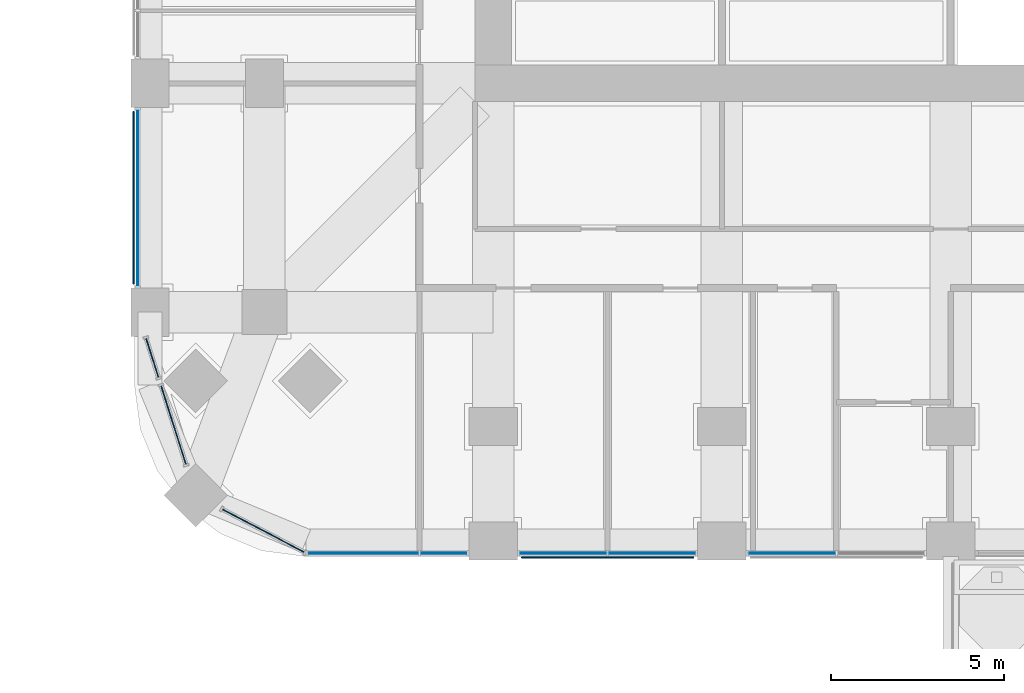
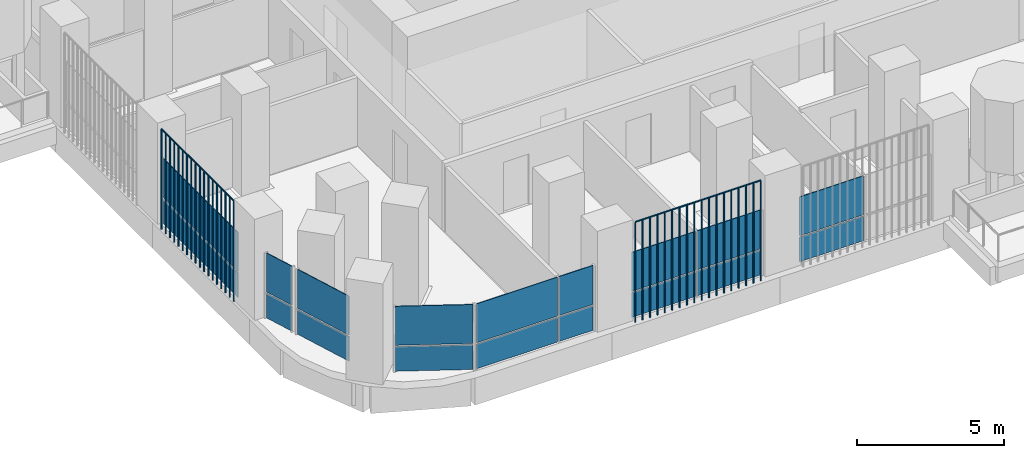
# One storey, part 9 of 22: 20 plates, 7 elements without a shape of their own.
"""IFC4 building model written with IfcOpenShell, lengths in metres."""

import ifcopenshell
import ifcopenshell.guid

model = None  # the IFC model being written
_history = None  # IfcOwnerHistory: only IFC2X3 demands one
_inside = {}  # id of a spatial element -> (the spatial element, [elements in it])
_under = {}  # id of a project, library or spatial element -> (it, [spatial elements below it])
_declared = {}  # id of a project -> (the project, [libraries it declares])
_typed = {}  # id of a type object -> (the type object, [elements of that type])
_made_of = {}  # id of a material, layer set ... -> (it, [elements and type objects made of it])


def new_model(schema):
    """Start an empty IFC model of exactly this schema.

    Asked for "IFC4X3", IfcOpenShell would pick the latest addendum, in which some entities
    have other attributes; the version numbers below select the first issue.
    IFC2X3 requires an IfcOwnerHistory on every rooted entity: one is made here for all.
    """
    global model, _history
    if schema == "IFC4X3":
        model = ifcopenshell.file(schema_version=(4, 3, 0, 0))
    else:
        model = ifcopenshell.file(schema=schema)
    _inside.clear()
    _under.clear()
    _declared.clear()
    _typed.clear()
    _made_of.clear()
    _history = None
    if model.schema == "IFC2X3":
        org = make("IfcOrganization", Name="unknown")
        user = make(
            "IfcPersonAndOrganization",
            ThePerson=make("IfcPerson", FamilyName="unknown"),
            TheOrganization=org,
        )
        app = make(
            "IfcApplication",
            ApplicationDeveloper=org,
            Version="unknown",
            ApplicationFullName="unknown",
            ApplicationIdentifier="unknown",
        )
        _history = make(
            "IfcOwnerHistory",
            OwningUser=user,
            OwningApplication=app,
            ChangeAction="ADDED",
            CreationDate=0,
        )
    return model


def make(cls, **values):
    """One entity of the class cls with the attributes given. An attribute that is None is left unset."""
    return model.create_entity(
        cls, **{name: value for name, value in values.items() if value is not None}
    )


def rooted(cls, **values):
    """An entity with a GlobalId (a new one), such as an element, a storey or a relation."""
    return make(cls, GlobalId=ifcopenshell.guid.new(), OwnerHistory=_history, **values)


def si_unit(unit_type, name, prefix=None):
    """IfcSIUnit, for example si_unit("LENGTHUNIT", "METRE", prefix="MILLI")."""
    return make("IfcSIUnit", UnitType=unit_type, Prefix=prefix, Name=name)


def assignment(units):
    """IfcUnitAssignment: the units of a project."""
    return None if units is None else make("IfcUnitAssignment", Units=units)


def point(xyz):
    """IfcCartesianPoint."""
    return None if xyz is None else make("IfcCartesianPoint", Coordinates=xyz)


def direction(xyz):
    """IfcDirection."""
    return None if xyz is None else make("IfcDirection", DirectionRatios=xyz)


def frame(location, z_axis=None, x_axis=None):
    """IfcAxis2Placement3D, a coordinate frame: its origin and axes. An axis left out is left unset."""
    return make(
        "IfcAxis2Placement3D",
        Location=point(location),
        Axis=direction(z_axis),
        RefDirection=direction(x_axis),
    )


def frame_2d(location, x_axis=None):
    """IfcAxis2Placement2D, a coordinate frame in the plane: its origin and x axis."""
    return make(
        "IfcAxis2Placement2D", Location=point(location), RefDirection=direction(x_axis)
    )


def origin():
    """The frame at (0, 0, 0) with its axes left unset."""
    return frame((0.0, 0.0, 0.0))


def origin_2d():
    """The frame at (0, 0) in the plane with its x axis left unset."""
    return frame_2d((0.0, 0.0))


def place(relative_to, where):
    """IfcLocalPlacement: puts the frame where relative to a parent placement (None: the world)."""
    return make(
        "IfcLocalPlacement", PlacementRelTo=relative_to, RelativePlacement=where
    )


def context(
    kind, dimensions, precision=None, world=None, true_north=None, identifier=None
):
    """IfcGeometricRepresentationContext, for example the 3D "Model" context."""
    return make(
        "IfcGeometricRepresentationContext",
        ContextIdentifier=identifier,
        ContextType=kind,
        CoordinateSpaceDimension=dimensions,
        Precision=precision,
        WorldCoordinateSystem=world,
        TrueNorth=true_north,
    )


def subcontext(parent, identifier, kind, view, scale=None):
    """IfcGeometricRepresentationSubContext, for example "Body" below "Model"."""
    return make(
        "IfcGeometricRepresentationSubContext",
        ContextIdentifier=identifier,
        ContextType=kind,
        ParentContext=parent,
        TargetScale=scale,
        TargetView=view,
    )


def project(units=None, contexts=None):
    """IfcProject with its units and contexts."""
    return rooted(
        "IfcProject",
        Name="project",
        RepresentationContexts=contexts,
        UnitsInContext=assignment(units),
    )


def spatial(cls, under=None, at=None, **own):
    """A site, building, storey or space (cls), placed at a placement, below another one or the project."""
    s = rooted(cls, ObjectPlacement=at, **own)
    if under is not None:
        _under.setdefault(under.id(), (under, []))[1].append(s)
    return s


def polyline(points):
    """IfcPolyline through the points."""
    return make("IfcPolyline", Points=[point(p) for p in points])


def profile(cls, at=None, kind="AREA", **sizes):
    """A parametric profile (cls). Its sizes go by their IFC names, for example OverallWidth=200.0."""
    return make(cls, ProfileType=kind, Position=at, **sizes)


def rectangle(**sizes):
    """IfcRectangleProfileDef."""
    return profile("IfcRectangleProfileDef", **sizes)


def outline(outer, holes=None, kind="AREA"):
    """IfcArbitraryClosedProfileDef: a profile drawn as a closed curve; with holes, ...WithVoids."""
    if holes is None:
        return make("IfcArbitraryClosedProfileDef", ProfileType=kind, OuterCurve=outer)
    return make(
        "IfcArbitraryProfileDefWithVoids",
        ProfileType=kind,
        OuterCurve=outer,
        InnerCurves=holes,
    )


def extrude(swept, where, along, depth):
    """IfcExtrudedAreaSolid: the profile swept, set in the frame where, extruded along a direction by depth."""
    return make(
        "IfcExtrudedAreaSolid",
        SweptArea=swept,
        Position=where,
        ExtrudedDirection=direction(along),
        Depth=depth,
    )


def shape(context_of_items, identifier, shape_type, items):
    """IfcShapeRepresentation: the items that make up one representation, for example the "Body"."""
    return make(
        "IfcShapeRepresentation",
        ContextOfItems=context_of_items,
        RepresentationIdentifier=identifier,
        RepresentationType=shape_type,
        Items=items,
    )


def material(Name=None, Category=None):
    """IfcMaterial."""
    return make("IfcMaterial", Name=Name, Category=Category)


def layer(
    of_material, thickness, ventilated=None, Name=None, Category=None, Priority=None
):
    """IfcMaterialLayer: one layer of a wall or slab, of a material (None: an air gap)."""
    return make(
        "IfcMaterialLayer",
        Material=of_material,
        LayerThickness=thickness,
        IsVentilated=ventilated,
        Name=Name,
        Category=Category,
        Priority=Priority,
    )


def layer_set(layers, Name=None):
    """IfcMaterialLayerSet."""
    return make("IfcMaterialLayerSet", MaterialLayers=layers, LayerSetName=Name)


def made_of(thing, what):
    """Note that an element or type object is made of a material, layer set ...; save() writes the relation."""
    if what is not None:
        _made_of.setdefault(what.id(), (what, []))[1].append(thing)
    return thing


def type_object(cls, material=None, **own):
    """A type object (cls), such as IfcWallType, which elements share."""
    return made_of(rooted(cls, **own), material)


def element(
    cls,
    number,
    at=None,
    inside=None,
    cuts=None,
    type_object=None,
    material=None,
    context=None,
    identifier="Body",
    shape_type=None,
    held_by="IfcProductDefinitionShape",
    body=None,
    shapes=None,
    **own,
):
    """One element of the class cls, such as IfcWall. Its Tag is "e" and its number.

    at: its placement. inside: the storey or other place that contains it. cuts: it is an
    opening in that element (IfcRelVoidsElement). A single representation is given by context,
    identifier, shape_type and body (its items); several are given by shapes. held_by: the class
    of the entity that holds the representations. save() writes the other relations.
    """
    e = rooted(cls, Tag="e%d" % number, ObjectPlacement=at, **own)
    if body is not None:
        shapes = [shape(context, identifier, shape_type, body)]
    if shapes is not None:
        e.Representation = make(held_by, Representations=shapes)
    if inside is not None:
        _inside.setdefault(inside.id(), (inside, []))[1].append(e)
    if cuts is not None:
        rooted(
            "IfcRelVoidsElement", RelatingBuildingElement=cuts, RelatedOpeningElement=e
        )
    if type_object is not None:
        _typed.setdefault(type_object.id(), (type_object, []))[1].append(e)
    return made_of(e, material)


def aggregate(whole, parts):
    """IfcRelAggregates: a whole, such as a stair, and the parts it consists of."""
    return rooted("IfcRelAggregates", RelatingObject=whole, RelatedObjects=parts)


def save(model, path):
    """Write the relations noted so far, then the file.

    IfcRelAggregates (storeys below a building ...), IfcRelContainedInSpatialStructure (elements
    in a storey), IfcRelDefinesByType, IfcRelAssociatesMaterial and IfcRelDeclares: one each for
    every whole, place, type object, material and project.
    """
    for whole, parts in _under.values():
        aggregate(whole, parts)
    for where, things in _inside.values():
        rooted(
            "IfcRelContainedInSpatialStructure",
            RelatedElements=things,
            RelatingStructure=where,
        )
    for kind, things in _typed.values():
        rooted("IfcRelDefinesByType", RelatedObjects=things, RelatingType=kind)
    for what, things in _made_of.values():
        rooted("IfcRelAssociatesMaterial", RelatedObjects=things, RelatingMaterial=what)
    for by, libraries in _declared.values():
        rooted("IfcRelDeclares", RelatingContext=by, RelatedDefinitions=libraries)
    model.write(path)


model = new_model("IFC4")

# Units and contexts
model_context = context("Model", 3, precision=1e-05, world=origin(), true_north=direction((0.0, 1.0)))
body_context = subcontext(model_context, "Body", "Model", "MODEL_VIEW")
ifc_project = project(units=[si_unit("LENGTHUNIT", "METRE"), si_unit("AREAUNIT", "SQUARE_METRE"), si_unit("VOLUMEUNIT", "CUBIC_METRE"), si_unit("PLANEANGLEUNIT", "RADIAN"), si_unit("MASSUNIT", "GRAM", prefix="KILO")], contexts=[model_context])

# Site, building, storey
site_placement = place(None, origin())
site = spatial("IfcSite", under=ifc_project, at=site_placement, CompositionType="ELEMENT")
building_placement = place(site_placement, origin())
building = spatial("IfcBuilding", under=site, at=building_placement, Name="Cobogo Forest Laboratory Tower", CompositionType="ELEMENT")
storey_placement = place(building_placement, frame((0.0, 0.0, 111.60009765625)))
storey = spatial("IfcBuildingStorey", under=building, at=storey_placement, Name="L25", CompositionType="ELEMENT", Elevation=111.60009765625)

# Curtain wall, plates
ifc_material_1 = material(Name="Aluminium curtain wall", Category="aluminium")
curtain_wall_type = type_object("IfcCurtainWallType", Name="CW-1 unitised curtain wall, clear glazing, laboratory floors zones A and B", PredefinedType="USERDEFINED", material=ifc_material_1)
curtain_wall_1_placement = place(storey_placement, origin())
curtain_wall_1 = element("IfcCurtainWall", 1, at=curtain_wall_1_placement, inside=storey, type_object=curtain_wall_type, Name="Curtain wall 01 L25", ObjectType="UNITISED CURTAIN WALL", PredefinedType="USERDEFINED")
ifc_material_2 = material(Name="Clear insulated glass", Category="glass")
ifc_layer = layer(ifc_material_2, 0.028076171875)
ifc_layer_set = layer_set([ifc_layer], Name="GP-1 clear insulated glass unit 28")
plate_type_1 = type_object("IfcPlateType", Name="GP-1 clear insulated glass unit 28", PredefinedType="CURTAIN_PANEL", material=ifc_layer_set)
plate_1_placement = place(storey_placement, frame((9.452392578125, -0.35009765625, 0.0), z_axis=(0.0, 0.0, 1.0), x_axis=(1.0, 0.0, 0.0)))
plate_1 = element("IfcPlate", 2, at=plate_1_placement, type_object=plate_type_1, Name="CW-1 panel 1.1", PredefinedType="CURTAIN_PANEL", context=body_context, shape_type="SweptSolid", body=[
    extrude(rectangle(XDim=3.18505859375, YDim=0.028076171875, at=origin_2d()), origin(), (0.0, 0.0, 1.0), 1.02001953125),
])
plate_2_placement = place(storey_placement, frame((9.452392578125, -0.35009765625, 1.079833984375), z_axis=(0.0, 0.0, 1.0), x_axis=(1.0, 0.0, 0.0)))
plate_2 = element("IfcPlate", 3, at=plate_2_placement, type_object=plate_type_1, Name="CW-1 panel 1.2", PredefinedType="CURTAIN_PANEL", context=body_context, shape_type="SweptSolid", body=[
    extrude(rectangle(XDim=3.18505859375, YDim=0.028076171875, at=origin_2d()), origin(), (0.0, 0.0, 1.0), 1.6201171875),
])
plate_3_placement = place(storey_placement, frame((11.7724609375, -0.35009765625, 0.0), z_axis=(0.0, 0.0, 1.0), x_axis=(1.0, 0.0, 0.0)))
plate_3 = element("IfcPlate", 4, at=plate_3_placement, type_object=plate_type_1, Name="CW-1 panel 2.1", PredefinedType="CURTAIN_PANEL", context=body_context, shape_type="SweptSolid", body=[
    extrude(rectangle(XDim=1.3349609375, YDim=0.028076171875, at=origin_2d()), origin(), (0.0, 0.0, 1.0), 1.02001953125),
])
plate_4_placement = place(storey_placement, frame((11.7724609375, -0.35009765625, 1.079833984375), z_axis=(0.0, 0.0, 1.0), x_axis=(1.0, 0.0, 0.0)))
plate_4 = element("IfcPlate", 5, at=plate_4_placement, type_object=plate_type_1, Name="CW-1 panel 2.2", PredefinedType="CURTAIN_PANEL", context=body_context, shape_type="SweptSolid", body=[
    extrude(rectangle(XDim=1.3349609375, YDim=0.028076171875, at=origin_2d()), origin(), (0.0, 0.0, 1.0), 1.6201171875),
])
aggregate(curtain_wall_1, [plate_1, plate_2, plate_3, plate_4])

curtain_wall_2_placement = place(storey_placement, origin())
curtain_wall_2 = element("IfcCurtainWall", 6, at=curtain_wall_2_placement, inside=storey, type_object=curtain_wall_type, Name="Curtain wall 02 L25", ObjectType="UNITISED CURTAIN WALL", PredefinedType="USERDEFINED")
plate_5_placement = place(storey_placement, frame((15.215087890625, -0.35009765625, 0.0), z_axis=(0.0, 0.0, 1.0), x_axis=(1.0, 0.0, 0.0)))
plate_5 = element("IfcPlate", 7, at=plate_5_placement, type_object=plate_type_1, Name="CW-1 panel 1.1", PredefinedType="CURTAIN_PANEL", context=body_context, shape_type="SweptSolid", body=[
    extrude(rectangle(XDim=2.510009765625, YDim=0.028076171875, at=origin_2d()), origin(), (0.0, 0.0, 1.0), 1.02001953125),
])
plate_6_placement = place(storey_placement, frame((15.215087890625, -0.35009765625, 1.079833984375), z_axis=(0.0, 0.0, 1.0), x_axis=(1.0, 0.0, 0.0)))
plate_6 = element("IfcPlate", 8, at=plate_6_placement, type_object=plate_type_1, Name="CW-1 panel 1.2", PredefinedType="CURTAIN_PANEL", context=body_context, shape_type="SweptSolid", body=[
    extrude(rectangle(XDim=2.510009765625, YDim=0.028076171875, at=origin_2d()), origin(), (0.0, 0.0, 1.0), 1.6201171875),
])
plate_7_placement = place(storey_placement, frame((17.784912109375, -0.35009765625, 0.0), z_axis=(0.0, 0.0, 1.0), x_axis=(1.0, 0.0, 0.0)))
plate_7 = element("IfcPlate", 9, at=plate_7_placement, type_object=plate_type_1, Name="CW-1 panel 2.1", PredefinedType="CURTAIN_PANEL", context=body_context, shape_type="SweptSolid", body=[
    extrude(rectangle(XDim=2.510009765625, YDim=0.028076171875, at=origin_2d()), origin(), (0.0, 0.0, 1.0), 1.02001953125),
])
plate_8_placement = place(storey_placement, frame((17.784912109375, -0.35009765625, 1.079833984375), z_axis=(0.0, 0.0, 1.0), x_axis=(1.0, 0.0, 0.0)))
plate_8 = element("IfcPlate", 10, at=plate_8_placement, type_object=plate_type_1, Name="CW-1 panel 2.2", PredefinedType="CURTAIN_PANEL", context=body_context, shape_type="SweptSolid", body=[
    extrude(rectangle(XDim=2.510009765625, YDim=0.028076171875, at=origin_2d()), origin(), (0.0, 0.0, 1.0), 1.6201171875),
])
aggregate(curtain_wall_2, [plate_5, plate_6, plate_7, plate_8])

curtain_wall_3_placement = place(storey_placement, origin())
curtain_wall_3 = element("IfcCurtainWall", 11, at=curtain_wall_3_placement, inside=storey, type_object=curtain_wall_type, Name="Curtain wall 03 L25", ObjectType="UNITISED CURTAIN WALL", PredefinedType="USERDEFINED")
plate_9_placement = place(storey_placement, frame((21.81494140625, -0.35009765625, 0.0), z_axis=(0.0, 0.0, 1.0), x_axis=(1.0, 0.0, 0.0)))
plate_9 = element("IfcPlate", 12, at=plate_9_placement, type_object=plate_type_1, Name="CW-1 panel 1.1", PredefinedType="CURTAIN_PANEL", context=body_context, shape_type="SweptSolid", body=[
    extrude(rectangle(XDim=2.510009765625, YDim=0.028076171875, at=origin_2d()), origin(), (0.0, 0.0, 1.0), 1.02001953125),
])
plate_10_placement = place(storey_placement, frame((21.81494140625, -0.35009765625, 1.079833984375), z_axis=(0.0, 0.0, 1.0), x_axis=(1.0, 0.0, 0.0)))
plate_10 = element("IfcPlate", 13, at=plate_10_placement, type_object=plate_type_1, Name="CW-1 panel 1.2", PredefinedType="CURTAIN_PANEL", context=body_context, shape_type="SweptSolid", body=[
    extrude(rectangle(XDim=2.510009765625, YDim=0.028076171875, at=origin_2d()), origin(), (0.0, 0.0, 1.0), 1.6201171875),
])
aggregate(curtain_wall_3, [plate_9, plate_10])

curtain_wall_4_placement = place(storey_placement, origin())
curtain_wall_4 = element("IfcCurtainWall", 14, at=curtain_wall_4_placement, inside=storey, type_object=curtain_wall_type, Name="Curtain wall 31 L25", ObjectType="UNITISED CURTAIN WALL", PredefinedType="USERDEFINED")
plate_11_placement = place(storey_placement, frame((2.949951171875, 9.89990234375, 0.0), z_axis=(0.0, 0.0, 1.0), x_axis=(0.0, -1.0, 0.0)))
plate_11 = element("IfcPlate", 15, at=plate_11_placement, type_object=plate_type_1, Name="CW-1 panel 1.1", PredefinedType="CURTAIN_PANEL", context=body_context, shape_type="SweptSolid", body=[
    extrude(rectangle(XDim=5.080078125, YDim=0.028076171875, at=origin_2d()), origin(), (0.0, 0.0, 1.0), 1.02001953125),
])
plate_12_placement = place(storey_placement, frame((2.949951171875, 9.89990234375, 1.079833984375), z_axis=(0.0, 0.0, 1.0), x_axis=(0.0, -1.0, 0.0)))
plate_12 = element("IfcPlate", 16, at=plate_12_placement, type_object=plate_type_1, Name="CW-1 panel 1.2", PredefinedType="CURTAIN_PANEL", context=body_context, shape_type="SweptSolid", body=[
    extrude(rectangle(XDim=5.080078125, YDim=0.028076171875, at=origin_2d()), origin(), (0.0, 0.0, 1.0), 1.6201171875),
])
aggregate(curtain_wall_4, [plate_11, plate_12])

curtain_wall_5_placement = place(storey_placement, origin())
curtain_wall_5 = element("IfcCurtainWall", 17, at=curtain_wall_5_placement, inside=storey, type_object=curtain_wall_type, Name="Curtain wall 32 L25", ObjectType="UNITISED CURTAIN WALL", PredefinedType="USERDEFINED")
plate_13_placement = place(storey_placement, frame((3.3662109375, 5.2822265625, 0.0), z_axis=(0.0, 0.0, 1.0), x_axis=(0.301135356805, -0.953581405483, 0.0)))
plate_13 = element("IfcPlate", 18, at=plate_13_placement, type_object=plate_type_1, Name="CW-1 panel 1.1", PredefinedType="CURTAIN_PANEL", context=body_context, shape_type="SweptSolid", body=[
    extrude(rectangle(XDim=1.17578125, YDim=0.028076171875, at=origin_2d()), origin(), (0.0, 0.0, 1.0), 1.02001953125),
])
plate_14_placement = place(storey_placement, frame((3.3662109375, 5.2822265625, 1.079833984375), z_axis=(0.0, 0.0, 1.0), x_axis=(0.301135356805, -0.953581405483, 0.0)))
plate_14 = element("IfcPlate", 19, at=plate_14_placement, type_object=plate_type_1, Name="CW-1 panel 1.2", PredefinedType="CURTAIN_PANEL", context=body_context, shape_type="SweptSolid", body=[
    extrude(rectangle(XDim=1.17578125, YDim=0.028076171875, at=origin_2d()), origin(), (0.0, 0.0, 1.0), 1.6201171875),
])
aggregate(curtain_wall_5, [plate_13, plate_14])

curtain_wall_6_placement = place(storey_placement, origin())
curtain_wall_6 = element("IfcCurtainWall", 20, at=curtain_wall_6_placement, inside=storey, type_object=curtain_wall_type, Name="Curtain wall 33 L25", ObjectType="UNITISED CURTAIN WALL", PredefinedType="USERDEFINED")
plate_15_placement = place(storey_placement, frame((3.978759765625, 3.342529296875, 0.0), z_axis=(0.0, 0.0, 1.0), x_axis=(0.301135291996, -0.953581425949, 0.0)))
plate_15 = element("IfcPlate", 21, at=plate_15_placement, type_object=plate_type_1, Name="CW-1 panel 1.1", PredefinedType="CURTAIN_PANEL", context=body_context, shape_type="SweptSolid", body=[
    extrude(rectangle(XDim=2.3681640625, YDim=0.028076171875, at=origin_2d()), origin(), (0.0, 0.0, 1.0), 1.02001953125),
])
plate_16_placement = place(storey_placement, frame((3.978759765625, 3.342529296875, 1.079833984375), z_axis=(0.0, 0.0, 1.0), x_axis=(0.301135291996, -0.953581425949, 0.0)))
plate_16 = element("IfcPlate", 22, at=plate_16_placement, type_object=plate_type_1, Name="CW-1 panel 1.2", PredefinedType="CURTAIN_PANEL", context=body_context, shape_type="SweptSolid", body=[
    extrude(rectangle(XDim=2.3681640625, YDim=0.028076171875, at=origin_2d()), origin(), (0.0, 0.0, 1.0), 1.6201171875),
])
aggregate(curtain_wall_6, [plate_15, plate_16])

curtain_wall_7_placement = place(storey_placement, origin())
curtain_wall_7 = element("IfcCurtainWall", 23, at=curtain_wall_7_placement, inside=storey, type_object=curtain_wall_type, Name="Curtain wall 34 L25", ObjectType="UNITISED CURTAIN WALL", PredefinedType="USERDEFINED")
plate_17_placement = place(storey_placement, frame((6.57080078125, 0.29443359375, 0.0), z_axis=(0.0, 0.0, 1.0), x_axis=(0.885686547075, -0.464283685186, 0.0)))
plate_17 = element("IfcPlate", 24, at=plate_17_placement, type_object=plate_type_1, Name="CW-1 panel 1.1", PredefinedType="CURTAIN_PANEL", context=body_context, shape_type="SweptSolid", body=[
    extrude(rectangle(XDim=2.655517578125, YDim=0.028076171875, at=origin_2d()), origin(), (0.0, 0.0, 1.0), 1.02001953125),
])
plate_18_placement = place(storey_placement, frame((6.57080078125, 0.29443359375, 1.079833984375), z_axis=(0.0, 0.0, 1.0), x_axis=(0.885686547075, -0.464283685186, 0.0)))
plate_18 = element("IfcPlate", 25, at=plate_18_placement, type_object=plate_type_1, Name="CW-1 panel 1.2", PredefinedType="CURTAIN_PANEL", context=body_context, shape_type="SweptSolid", body=[
    extrude(rectangle(XDim=2.655517578125, YDim=0.028076171875, at=origin_2d()), origin(), (0.0, 0.0, 1.0), 1.6201171875),
])
aggregate(curtain_wall_7, [plate_17, plate_18])

# Plates
ifc_material_3 = material(Name="Terracotta", Category="masonry")
plate_type_2 = type_object("IfcPlateType", Name="TB1 terracotta baguette screen", PredefinedType="USERDEFINED", material=ifc_material_3)
plate_19_placement = place(storey_placement, frame((14.03125, -0.477783203125, -0.150146484375)))
element("IfcPlate", 26, at=plate_19_placement, inside=storey, type_object=plate_type_2, Name="Baguette screen S1 L25", ObjectType="BAGUETTE SCREEN", PredefinedType="USERDEFINED", context=body_context, shape_type="SweptSolid", body=[
    extrude(outline(polyline([(0.02880859375, 0.011962890625), (0.011962890625, 0.02880859375), (-0.011962890625, 0.02880859375), (-0.02880859375, 0.011962890625), (-0.02880859375, -0.011962890625), (-0.011962890625, -0.02880859375), (0.011962890625, -0.02880859375), (0.02880859375, -0.011962890625), (0.02880859375, 0.011962890625)])), frame((0.0, 0.0, 4.168701171875), z_axis=(1.0, 0.0, 0.0), x_axis=(0.0, 1.0, 0.0)), (0.0, 0.0, 1.0), 4.9375),
    extrude(outline(polyline([(0.02880859375, 0.011962890625), (0.011962890625, 0.02880859375), (-0.011962890625, 0.02880859375), (-0.02880859375, 0.011962890625), (-0.02880859375, -0.011962890625), (-0.011962890625, -0.02880859375), (0.011962890625, -0.02880859375), (0.02880859375, -0.011962890625), (0.02880859375, 0.011962890625)])), origin(), (0.0, 0.0, 1.0), 4.137451171875),
    extrude(outline(polyline([(0.02880859375, 0.011962890625), (0.011962890625, 0.02880859375), (-0.011962890625, 0.02880859375), (-0.02880859375, 0.011962890625), (-0.02880859375, -0.011962890625), (-0.011962890625, -0.02880859375), (0.011962890625, -0.02880859375), (0.02880859375, -0.011962890625), (0.02880859375, 0.011962890625)])), frame((0.29052734375, 0.0, 0.0)), (0.0, 0.0, 1.0), 4.137451171875),
    extrude(outline(polyline([(0.02880859375, 0.011962890625), (0.011962890625, 0.02880859375), (-0.011962890625, 0.02880859375), (-0.02880859375, 0.011962890625), (-0.02880859375, -0.011962890625), (-0.011962890625, -0.02880859375), (0.011962890625, -0.02880859375), (0.02880859375, -0.011962890625), (0.02880859375, 0.011962890625)])), frame((0.580810546875, 0.0, 0.0)), (0.0, 0.0, 1.0), 4.137451171875),
    extrude(outline(polyline([(0.02880859375, 0.011962890625), (0.011962890625, 0.02880859375), (-0.011962890625, 0.02880859375), (-0.02880859375, 0.011962890625), (-0.02880859375, -0.011962890625), (-0.011962890625, -0.02880859375), (0.011962890625, -0.02880859375), (0.02880859375, -0.011962890625), (0.02880859375, 0.011962890625)])), frame((0.871337890625, 0.0, 0.0)), (0.0, 0.0, 1.0), 4.137451171875),
    extrude(outline(polyline([(0.02880859375, 0.011962890625), (0.011962890625, 0.02880859375), (-0.011962890625, 0.02880859375), (-0.02880859375, 0.011962890625), (-0.02880859375, -0.011962890625), (-0.011962890625, -0.02880859375), (0.011962890625, -0.02880859375), (0.02880859375, -0.011962890625), (0.02880859375, 0.011962890625)])), frame((1.161865234375, 0.0, 0.0)), (0.0, 0.0, 1.0), 4.137451171875),
    extrude(outline(polyline([(0.02880859375, 0.011962890625), (0.011962890625, 0.02880859375), (-0.011962890625, 0.02880859375), (-0.02880859375, 0.011962890625), (-0.02880859375, -0.011962890625), (-0.011962890625, -0.02880859375), (0.011962890625, -0.02880859375), (0.02880859375, -0.011962890625), (0.02880859375, 0.011962890625)])), frame((1.4521484375, 0.0, 0.0)), (0.0, 0.0, 1.0), 4.137451171875),
    extrude(outline(polyline([(0.02880859375, 0.011962890625), (0.011962890625, 0.02880859375), (-0.011962890625, 0.02880859375), (-0.02880859375, 0.011962890625), (-0.02880859375, -0.011962890625), (-0.011962890625, -0.02880859375), (0.011962890625, -0.02880859375), (0.02880859375, -0.011962890625), (0.02880859375, 0.011962890625)])), frame((1.74267578125, 0.0, 0.0)), (0.0, 0.0, 1.0), 4.137451171875),
    extrude(outline(polyline([(0.02880859375, 0.011962890625), (0.011962890625, 0.02880859375), (-0.011962890625, 0.02880859375), (-0.02880859375, 0.011962890625), (-0.02880859375, -0.011962890625), (-0.011962890625, -0.02880859375), (0.011962890625, -0.02880859375), (0.02880859375, -0.011962890625), (0.02880859375, 0.011962890625)])), frame((2.033203125, 0.0, 0.0)), (0.0, 0.0, 1.0), 4.137451171875),
    extrude(outline(polyline([(0.02880859375, 0.011962890625), (0.011962890625, 0.02880859375), (-0.011962890625, 0.02880859375), (-0.02880859375, 0.011962890625), (-0.02880859375, -0.011962890625), (-0.011962890625, -0.02880859375), (0.011962890625, -0.02880859375), (0.02880859375, -0.011962890625), (0.02880859375, 0.011962890625)])), frame((2.323486328125, 0.0, 0.0)), (0.0, 0.0, 1.0), 4.137451171875),
    extrude(outline(polyline([(0.02880859375, 0.011962890625), (0.011962890625, 0.02880859375), (-0.011962890625, 0.02880859375), (-0.02880859375, 0.011962890625), (-0.02880859375, -0.011962890625), (-0.011962890625, -0.02880859375), (0.011962890625, -0.02880859375), (0.02880859375, -0.011962890625), (0.02880859375, 0.011962890625)])), frame((2.614013671875, 0.0, 0.0)), (0.0, 0.0, 1.0), 4.137451171875),
    extrude(outline(polyline([(0.02880859375, 0.011962890625), (0.011962890625, 0.02880859375), (-0.011962890625, 0.02880859375), (-0.02880859375, 0.011962890625), (-0.02880859375, -0.011962890625), (-0.011962890625, -0.02880859375), (0.011962890625, -0.02880859375), (0.02880859375, -0.011962890625), (0.02880859375, 0.011962890625)])), frame((2.904296875, 0.0, 0.0)), (0.0, 0.0, 1.0), 4.137451171875),
    extrude(outline(polyline([(0.02880859375, 0.011962890625), (0.011962890625, 0.02880859375), (-0.011962890625, 0.02880859375), (-0.02880859375, 0.011962890625), (-0.02880859375, -0.011962890625), (-0.011962890625, -0.02880859375), (0.011962890625, -0.02880859375), (0.02880859375, -0.011962890625), (0.02880859375, 0.011962890625)])), frame((3.19482421875, 0.0, 0.0)), (0.0, 0.0, 1.0), 4.137451171875),
    extrude(outline(polyline([(0.02880859375, 0.011962890625), (0.011962890625, 0.02880859375), (-0.011962890625, 0.02880859375), (-0.02880859375, 0.011962890625), (-0.02880859375, -0.011962890625), (-0.011962890625, -0.02880859375), (0.011962890625, -0.02880859375), (0.02880859375, -0.011962890625), (0.02880859375, 0.011962890625)])), frame((3.4853515625, 0.0, 0.0)), (0.0, 0.0, 1.0), 4.137451171875),
    extrude(outline(polyline([(0.02880859375, 0.011962890625), (0.011962890625, 0.02880859375), (-0.011962890625, 0.02880859375), (-0.02880859375, 0.011962890625), (-0.02880859375, -0.011962890625), (-0.011962890625, -0.02880859375), (0.011962890625, -0.02880859375), (0.02880859375, -0.011962890625), (0.02880859375, 0.011962890625)])), frame((3.775634765625, 0.0, 0.0)), (0.0, 0.0, 1.0), 4.137451171875),
    extrude(outline(polyline([(0.02880859375, 0.011962890625), (0.011962890625, 0.02880859375), (-0.011962890625, 0.02880859375), (-0.02880859375, 0.011962890625), (-0.02880859375, -0.011962890625), (-0.011962890625, -0.02880859375), (0.011962890625, -0.02880859375), (0.02880859375, -0.011962890625), (0.02880859375, 0.011962890625)])), frame((4.066162109375, 0.0, 0.0)), (0.0, 0.0, 1.0), 4.137451171875),
    extrude(outline(polyline([(0.02880859375, 0.011962890625), (0.011962890625, 0.02880859375), (-0.011962890625, 0.02880859375), (-0.02880859375, 0.011962890625), (-0.02880859375, -0.011962890625), (-0.011962890625, -0.02880859375), (0.011962890625, -0.02880859375), (0.02880859375, -0.011962890625), (0.02880859375, 0.011962890625)])), frame((4.356689453125, 0.0, 0.0)), (0.0, 0.0, 1.0), 4.137451171875),
    extrude(outline(polyline([(0.02880859375, 0.011962890625), (0.011962890625, 0.02880859375), (-0.011962890625, 0.02880859375), (-0.02880859375, 0.011962890625), (-0.02880859375, -0.011962890625), (-0.011962890625, -0.02880859375), (0.011962890625, -0.02880859375), (0.02880859375, -0.011962890625), (0.02880859375, 0.011962890625)])), frame((4.64697265625, 0.0, 0.0)), (0.0, 0.0, 1.0), 4.137451171875),
    extrude(outline(polyline([(0.02880859375, 0.011962890625), (0.011962890625, 0.02880859375), (-0.011962890625, 0.02880859375), (-0.02880859375, 0.011962890625), (-0.02880859375, -0.011962890625), (-0.011962890625, -0.02880859375), (0.011962890625, -0.02880859375), (0.02880859375, -0.011962890625), (0.02880859375, 0.011962890625)])), frame((4.9375, 0.0, 0.0)), (0.0, 0.0, 1.0), 4.137451171875),
])
plate_20_placement = place(storey_placement, frame((2.822021484375, 7.43115234375, -0.150146484375)))
element("IfcPlate", 27, at=plate_20_placement, inside=storey, type_object=plate_type_2, Name="Baguette screen W1 L25", ObjectType="BAGUETTE SCREEN", PredefinedType="USERDEFINED", context=body_context, shape_type="SweptSolid", body=[
    extrude(outline(polyline([(0.02880859375, 0.011962890625), (0.011962890625, 0.02880859375), (-0.011962890625, 0.02880859375), (-0.02880859375, 0.011962890625), (-0.02880859375, -0.011962890625), (-0.011962890625, -0.02880859375), (0.011962890625, -0.02880859375), (0.02880859375, -0.011962890625), (0.02880859375, 0.011962890625)])), frame((0.0, 0.0, 4.168701171875), z_axis=(0.0, 1.0, 0.0), x_axis=(-1.0, 0.0, 0.0)), (0.0, 0.0, 1.0), 4.9375),
    extrude(outline(polyline([(0.02880859375, 0.011962890625), (0.011962890625, 0.02880859375), (-0.011962890625, 0.02880859375), (-0.02880859375, 0.011962890625), (-0.02880859375, -0.011962890625), (-0.011962890625, -0.02880859375), (0.011962890625, -0.02880859375), (0.02880859375, -0.011962890625), (0.02880859375, 0.011962890625)])), origin(), (0.0, 0.0, 1.0), 4.137451171875),
    extrude(outline(polyline([(0.02880859375, 0.011962890625), (0.011962890625, 0.02880859375), (-0.011962890625, 0.02880859375), (-0.02880859375, 0.011962890625), (-0.02880859375, -0.011962890625), (-0.011962890625, -0.02880859375), (0.011962890625, -0.02880859375), (0.02880859375, -0.011962890625), (0.02880859375, 0.011962890625)])), frame((0.0, 0.29052734375, 0.0)), (0.0, 0.0, 1.0), 4.137451171875),
    extrude(outline(polyline([(0.02880859375, 0.011962890625), (0.011962890625, 0.02880859375), (-0.011962890625, 0.02880859375), (-0.02880859375, 0.011962890625), (-0.02880859375, -0.011962890625), (-0.011962890625, -0.02880859375), (0.011962890625, -0.02880859375), (0.02880859375, -0.011962890625), (0.02880859375, 0.011962890625)])), frame((0.0, 0.580810546875, 0.0)), (0.0, 0.0, 1.0), 4.137451171875),
    extrude(outline(polyline([(0.02880859375, 0.011962890625), (0.011962890625, 0.02880859375), (-0.011962890625, 0.02880859375), (-0.02880859375, 0.011962890625), (-0.02880859375, -0.011962890625), (-0.011962890625, -0.02880859375), (0.011962890625, -0.02880859375), (0.02880859375, -0.011962890625), (0.02880859375, 0.011962890625)])), frame((0.0, 0.871337890625, 0.0)), (0.0, 0.0, 1.0), 4.137451171875),
    extrude(outline(polyline([(0.02880859375, 0.011962890625), (0.011962890625, 0.02880859375), (-0.011962890625, 0.02880859375), (-0.02880859375, 0.011962890625), (-0.02880859375, -0.011962890625), (-0.011962890625, -0.02880859375), (0.011962890625, -0.02880859375), (0.02880859375, -0.011962890625), (0.02880859375, 0.011962890625)])), frame((0.0, 1.161865234375, 0.0)), (0.0, 0.0, 1.0), 4.137451171875),
    extrude(outline(polyline([(0.02880859375, 0.011962890625), (0.011962890625, 0.02880859375), (-0.011962890625, 0.02880859375), (-0.02880859375, 0.011962890625), (-0.02880859375, -0.011962890625), (-0.011962890625, -0.02880859375), (0.011962890625, -0.02880859375), (0.02880859375, -0.011962890625), (0.02880859375, 0.011962890625)])), frame((0.0, 1.4521484375, 0.0)), (0.0, 0.0, 1.0), 4.137451171875),
    extrude(outline(polyline([(0.02880859375, 0.011962890625), (0.011962890625, 0.02880859375), (-0.011962890625, 0.02880859375), (-0.02880859375, 0.011962890625), (-0.02880859375, -0.011962890625), (-0.011962890625, -0.02880859375), (0.011962890625, -0.02880859375), (0.02880859375, -0.011962890625), (0.02880859375, 0.011962890625)])), frame((0.0, 1.74267578125, 0.0)), (0.0, 0.0, 1.0), 4.137451171875),
    extrude(outline(polyline([(0.02880859375, 0.011962890625), (0.011962890625, 0.02880859375), (-0.011962890625, 0.02880859375), (-0.02880859375, 0.011962890625), (-0.02880859375, -0.011962890625), (-0.011962890625, -0.02880859375), (0.011962890625, -0.02880859375), (0.02880859375, -0.011962890625), (0.02880859375, 0.011962890625)])), frame((0.0, 2.033203125, 0.0)), (0.0, 0.0, 1.0), 4.137451171875),
    extrude(outline(polyline([(0.02880859375, 0.011962890625), (0.011962890625, 0.02880859375), (-0.011962890625, 0.02880859375), (-0.02880859375, 0.011962890625), (-0.02880859375, -0.011962890625), (-0.011962890625, -0.02880859375), (0.011962890625, -0.02880859375), (0.02880859375, -0.011962890625), (0.02880859375, 0.011962890625)])), frame((0.0, 2.323486328125, 0.0)), (0.0, 0.0, 1.0), 4.137451171875),
    extrude(outline(polyline([(0.02880859375, 0.011962890625), (0.011962890625, 0.02880859375), (-0.011962890625, 0.02880859375), (-0.02880859375, 0.011962890625), (-0.02880859375, -0.011962890625), (-0.011962890625, -0.02880859375), (0.011962890625, -0.02880859375), (0.02880859375, -0.011962890625), (0.02880859375, 0.011962890625)])), frame((0.0, 2.614013671875, 0.0)), (0.0, 0.0, 1.0), 4.137451171875),
    extrude(outline(polyline([(0.02880859375, 0.011962890625), (0.011962890625, 0.02880859375), (-0.011962890625, 0.02880859375), (-0.02880859375, 0.011962890625), (-0.02880859375, -0.011962890625), (-0.011962890625, -0.02880859375), (0.011962890625, -0.02880859375), (0.02880859375, -0.011962890625), (0.02880859375, 0.011962890625)])), frame((0.0, 2.904296875, 0.0)), (0.0, 0.0, 1.0), 4.137451171875),
    extrude(outline(polyline([(0.02880859375, 0.011962890625), (0.011962890625, 0.02880859375), (-0.011962890625, 0.02880859375), (-0.02880859375, 0.011962890625), (-0.02880859375, -0.011962890625), (-0.011962890625, -0.02880859375), (0.011962890625, -0.02880859375), (0.02880859375, -0.011962890625), (0.02880859375, 0.011962890625)])), frame((0.0, 3.19482421875, 0.0)), (0.0, 0.0, 1.0), 4.137451171875),
    extrude(outline(polyline([(0.02880859375, 0.011962890625), (0.011962890625, 0.02880859375), (-0.011962890625, 0.02880859375), (-0.02880859375, 0.011962890625), (-0.02880859375, -0.011962890625), (-0.011962890625, -0.02880859375), (0.011962890625, -0.02880859375), (0.02880859375, -0.011962890625), (0.02880859375, 0.011962890625)])), frame((0.0, 3.4853515625, 0.0)), (0.0, 0.0, 1.0), 4.137451171875),
    extrude(outline(polyline([(0.02880859375, 0.011962890625), (0.011962890625, 0.02880859375), (-0.011962890625, 0.02880859375), (-0.02880859375, 0.011962890625), (-0.02880859375, -0.011962890625), (-0.011962890625, -0.02880859375), (0.011962890625, -0.02880859375), (0.02880859375, -0.011962890625), (0.02880859375, 0.011962890625)])), frame((0.0, 3.775634765625, 0.0)), (0.0, 0.0, 1.0), 4.137451171875),
    extrude(outline(polyline([(0.02880859375, 0.011962890625), (0.011962890625, 0.02880859375), (-0.011962890625, 0.02880859375), (-0.02880859375, 0.011962890625), (-0.02880859375, -0.011962890625), (-0.011962890625, -0.02880859375), (0.011962890625, -0.02880859375), (0.02880859375, -0.011962890625), (0.02880859375, 0.011962890625)])), frame((0.0, 4.066162109375, 0.0)), (0.0, 0.0, 1.0), 4.137451171875),
    extrude(outline(polyline([(0.02880859375, 0.011962890625), (0.011962890625, 0.02880859375), (-0.011962890625, 0.02880859375), (-0.02880859375, 0.011962890625), (-0.02880859375, -0.011962890625), (-0.011962890625, -0.02880859375), (0.011962890625, -0.02880859375), (0.02880859375, -0.011962890625), (0.02880859375, 0.011962890625)])), frame((0.0, 4.356689453125, 0.0)), (0.0, 0.0, 1.0), 4.137451171875),
    extrude(outline(polyline([(0.02880859375, 0.011962890625), (0.011962890625, 0.02880859375), (-0.011962890625, 0.02880859375), (-0.02880859375, 0.011962890625), (-0.02880859375, -0.011962890625), (-0.011962890625, -0.02880859375), (0.011962890625, -0.02880859375), (0.02880859375, -0.011962890625), (0.02880859375, 0.011962890625)])), frame((0.0, 4.64697265625, 0.0)), (0.0, 0.0, 1.0), 4.137451171875),
    extrude(outline(polyline([(0.02880859375, 0.011962890625), (0.011962890625, 0.02880859375), (-0.011962890625, 0.02880859375), (-0.02880859375, 0.011962890625), (-0.02880859375, -0.011962890625), (-0.011962890625, -0.02880859375), (0.011962890625, -0.02880859375), (0.02880859375, -0.011962890625), (0.02880859375, 0.011962890625)])), frame((0.0, 4.9375, 0.0)), (0.0, 0.0, 1.0), 4.137451171875),
])

save(model, "model.ifc")
